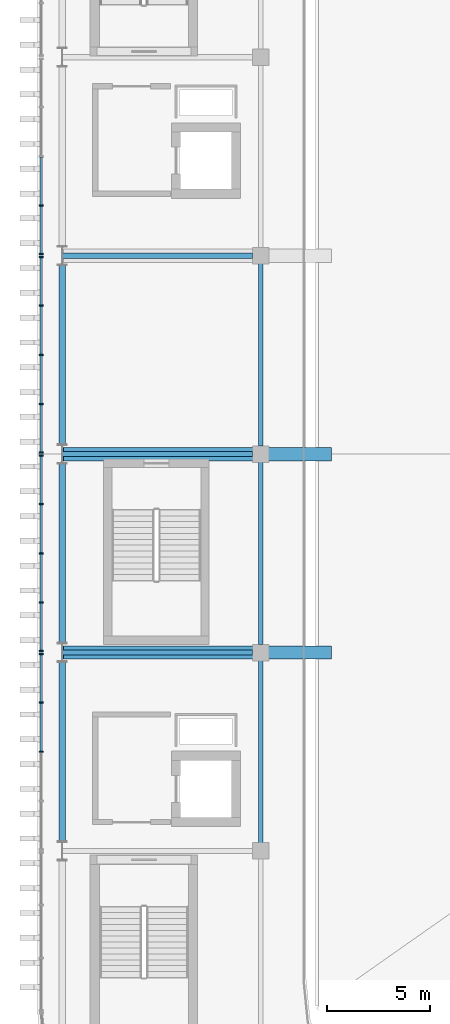
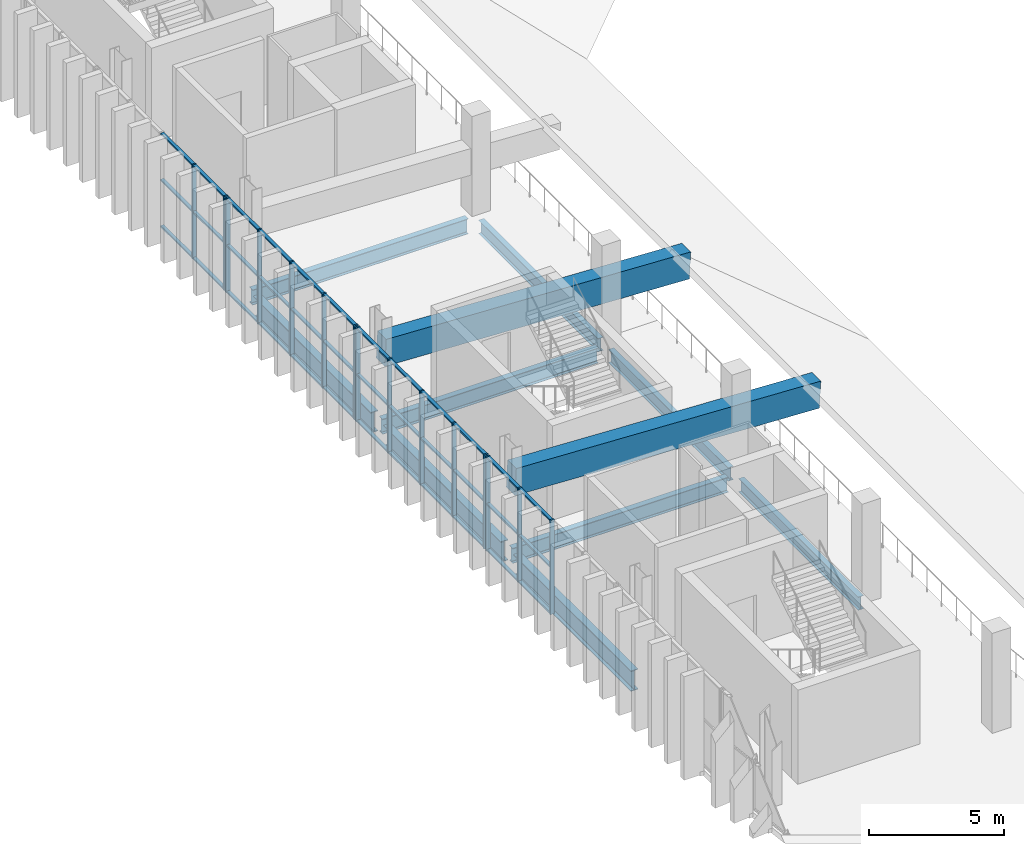
# One storey, part 17 of 69: 51 members, 11 beams, 4 elements without a shape of their own.
"""IFC4 building model written with IfcOpenShell, lengths in metres."""

from ifc_helpers import new_model, si_unit, direction, frame, origin, origin_2d, place, context, subcontext, project, spatial, rectangle, i_section, extrude, material, layer, layer_set, material_profile, profile_set, type_object, element, aggregate, save


model = new_model("IFC4")

# Units and contexts
model_context = context("Model", 3, precision=1e-05, world=origin(), true_north=direction((0.0, 1.0)))
body_context = subcontext(model_context, "Body", "Model", "MODEL_VIEW")
ifc_project = project(units=[si_unit("LENGTHUNIT", "METRE"), si_unit("AREAUNIT", "SQUARE_METRE"), si_unit("VOLUMEUNIT", "CUBIC_METRE"), si_unit("PLANEANGLEUNIT", "RADIAN"), si_unit("MASSUNIT", "GRAM", prefix="KILO")], contexts=[model_context])

# Site, building, storey
site_placement = place(None, origin())
site = spatial("IfcSite", under=ifc_project, at=site_placement, CompositionType="ELEMENT")
building_placement = place(site_placement, origin())
building = spatial("IfcBuilding", under=site, at=building_placement, Name="Caelomonte Colonnade Arena", CompositionType="ELEMENT")
storey_placement = place(building_placement, frame((0.0, 0.0, 18.60009765625)))
storey = spatial("IfcBuildingStorey", under=building, at=storey_placement, Name="L04", CompositionType="ELEMENT", Elevation=18.60009765625)

# Curtain wall, members
ifc_material_1 = material(Name="Bronze anodised aluminium and low-E glazing", Category="aluminium")
ifc_layer = layer(ifc_material_1, 0.179931640625)
ifc_layer_set = layer_set([ifc_layer], Name="Bronze anodised aluminium and low-E glazing")
curtain_wall_type = type_object("IfcCurtainWallType", Name="ENV-CW-CW-L04-96-42", PredefinedType="USERDEFINED", material=ifc_layer_set)
curtain_wall_1_placement = place(storey_placement, origin())
curtain_wall_1 = element("IfcCurtainWall", 1, at=curtain_wall_1_placement, inside=storey, type_object=curtain_wall_type, Name="L04 unitized curtain wall CW-L04-0566-0816", ObjectType="UNITIZED CURTAIN WALL", PredefinedType="USERDEFINED")
ifc_material_2 = material(Name="Bronze anodised aluminium AA6063-T6", Category="aluminium")
ifc_material_profile_1 = material_profile(ifc_material_2, rectangle(XDim=0.070068359375, YDim=0.179931640625, at=origin_2d()), Name="CWM-70X180")
ifc_profile_set_1 = profile_set([ifc_material_profile_1], Name="Bronze anodised aluminium AA6063-T6")
member_type_1 = type_object("IfcMemberType", Name="ENV-CW-MULL1", PredefinedType="MULLION", material=ifc_profile_set_1)
member_1_placement = place(storey_placement, frame((56.580078125, 79.219970703125, 0.0), z_axis=(0.0, 0.0, 1.0), x_axis=(0.0, -1.0, 0.0)))
member_1 = element("IfcMember", 2, at=member_1_placement, type_object=member_type_1, Name="CW-L04-96-42 mullion 4", PredefinedType="MULLION", context=body_context, shape_type="SweptSolid", body=[
    extrude(rectangle(XDim=0.070068359375, YDim=0.179931640625, at=origin_2d()), origin(), (0.0, 0.0, 1.0), 4.239990234375),
])
member_2_placement = place(storey_placement, frame((56.580078125, 76.875, 0.0), z_axis=(0.0, 0.0, 1.0), x_axis=(0.0, -1.0, 0.0)))
member_2 = element("IfcMember", 3, at=member_2_placement, type_object=member_type_1, Name="CW-L04-96-42 mullion 5", PredefinedType="MULLION", context=body_context, shape_type="SweptSolid", body=[
    extrude(rectangle(XDim=0.070068359375, YDim=0.179931640625, at=origin_2d()), origin(), (0.0, 0.0, 1.0), 4.239990234375),
])

curtain_wall_2_placement = place(storey_placement, origin())
curtain_wall_2 = element("IfcCurtainWall", 4, at=curtain_wall_2_placement, inside=storey, type_object=curtain_wall_type, Name="L04 unitized curtain wall CW-L04-0566-0720", ObjectType="UNITIZED CURTAIN WALL", PredefinedType="USERDEFINED")
member_3_placement = place(storey_placement, frame((56.580078125, 76.72509765625, 0.0), z_axis=(0.0, 0.0, 1.0), x_axis=(0.0, -1.0, 0.0)))
member_3 = element("IfcMember", 5, at=member_3_placement, type_object=member_type_1, Name="CW-L04-96-42 mullion 1", PredefinedType="MULLION", context=body_context, shape_type="SweptSolid", body=[
    extrude(rectangle(XDim=0.070068359375, YDim=0.179931640625, at=origin_2d()), origin(), (0.0, 0.0, 1.0), 4.239990234375),
])
member_4_placement = place(storey_placement, frame((56.580078125, 74.3798828125, 0.0), z_axis=(0.0, 0.0, 1.0), x_axis=(0.0, -1.0, 0.0)))
member_4 = element("IfcMember", 6, at=member_4_placement, type_object=member_type_1, Name="CW-L04-96-42 mullion 2", PredefinedType="MULLION", context=body_context, shape_type="SweptSolid", body=[
    extrude(rectangle(XDim=0.070068359375, YDim=0.179931640625, at=origin_2d()), origin(), (0.0, 0.0, 1.0), 4.239990234375),
])
member_5_placement = place(storey_placement, frame((56.580078125, 72.0, 0.0), z_axis=(0.0, 0.0, 1.0), x_axis=(0.0, -1.0, 0.0)))
member_5 = element("IfcMember", 7, at=member_5_placement, type_object=member_type_1, Name="CW-L04-96-42 mullion 3", PredefinedType="MULLION", context=body_context, shape_type="SweptSolid", body=[
    extrude(rectangle(XDim=0.070068359375, YDim=0.179931640625, at=origin_2d()), origin(), (0.0, 0.0, 1.0), 4.239990234375),
])
member_6_placement = place(storey_placement, frame((56.580078125, 69.6201171875, 0.0), z_axis=(0.0, 0.0, 1.0), x_axis=(0.0, -1.0, 0.0)))
member_6 = element("IfcMember", 8, at=member_6_placement, type_object=member_type_1, Name="CW-L04-96-42 mullion 4", PredefinedType="MULLION", context=body_context, shape_type="SweptSolid", body=[
    extrude(rectangle(XDim=0.070068359375, YDim=0.179931640625, at=origin_2d()), origin(), (0.0, 0.0, 1.0), 4.239990234375),
])
member_7_placement = place(storey_placement, frame((56.580078125, 67.27490234375, 0.0), z_axis=(0.0, 0.0, 1.0), x_axis=(0.0, -1.0, 0.0)))
member_7 = element("IfcMember", 9, at=member_7_placement, type_object=member_type_1, Name="CW-L04-96-42 mullion 5", PredefinedType="MULLION", context=body_context, shape_type="SweptSolid", body=[
    extrude(rectangle(XDim=0.070068359375, YDim=0.179931640625, at=origin_2d()), origin(), (0.0, 0.0, 1.0), 4.239990234375),
])

curtain_wall_3_placement = place(storey_placement, origin())
curtain_wall_3 = element("IfcCurtainWall", 10, at=curtain_wall_3_placement, inside=storey, type_object=curtain_wall_type, Name="L04 unitized curtain wall CW-L04-0566-0624", ObjectType="UNITIZED CURTAIN WALL", PredefinedType="USERDEFINED")
member_8_placement = place(storey_placement, frame((56.580078125, 67.125, 0.0), z_axis=(0.0, 0.0, 1.0), x_axis=(0.0, -1.0, 0.0)))
member_8 = element("IfcMember", 11, at=member_8_placement, type_object=member_type_1, Name="CW-L04-96-42 mullion 1", PredefinedType="MULLION", context=body_context, shape_type="SweptSolid", body=[
    extrude(rectangle(XDim=0.070068359375, YDim=0.179931640625, at=origin_2d()), origin(), (0.0, 0.0, 1.0), 4.239990234375),
])
member_9_placement = place(storey_placement, frame((56.580078125, 64.780029296875, 0.0), z_axis=(0.0, 0.0, 1.0), x_axis=(0.0, -1.0, 0.0)))
member_9 = element("IfcMember", 12, at=member_9_placement, type_object=member_type_1, Name="CW-L04-96-42 mullion 2", PredefinedType="MULLION", context=body_context, shape_type="SweptSolid", body=[
    extrude(rectangle(XDim=0.070068359375, YDim=0.179931640625, at=origin_2d()), origin(), (0.0, 0.0, 1.0), 4.239990234375),
])
member_10_placement = place(storey_placement, frame((56.580078125, 62.39990234375, 0.0), z_axis=(0.0, 0.0, 1.0), x_axis=(0.0, -1.0, 0.0)))
member_10 = element("IfcMember", 13, at=member_10_placement, type_object=member_type_1, Name="CW-L04-96-42 mullion 3", PredefinedType="MULLION", context=body_context, shape_type="SweptSolid", body=[
    extrude(rectangle(XDim=0.070068359375, YDim=0.179931640625, at=origin_2d()), origin(), (0.0, 0.0, 1.0), 4.239990234375),
])
member_11_placement = place(storey_placement, frame((56.580078125, 60.02001953125, 0.0), z_axis=(0.0, 0.0, 1.0), x_axis=(0.0, -1.0, 0.0)))
member_11 = element("IfcMember", 14, at=member_11_placement, type_object=member_type_1, Name="CW-L04-96-42 mullion 4", PredefinedType="MULLION", context=body_context, shape_type="SweptSolid", body=[
    extrude(rectangle(XDim=0.070068359375, YDim=0.179931640625, at=origin_2d()), origin(), (0.0, 0.0, 1.0), 4.239990234375),
])
member_12_placement = place(storey_placement, frame((56.580078125, 57.675048828125, 0.0), z_axis=(0.0, 0.0, 1.0), x_axis=(0.0, -1.0, 0.0)))
member_12 = element("IfcMember", 15, at=member_12_placement, type_object=member_type_1, Name="CW-L04-96-42 mullion 5", PredefinedType="MULLION", context=body_context, shape_type="SweptSolid", body=[
    extrude(rectangle(XDim=0.070068359375, YDim=0.179931640625, at=origin_2d()), origin(), (0.0, 0.0, 1.0), 4.239990234375),
])

curtain_wall_4_placement = place(storey_placement, origin())
curtain_wall_4 = element("IfcCurtainWall", 16, at=curtain_wall_4_placement, inside=storey, type_object=curtain_wall_type, Name="L04 unitized curtain wall CW-L04-0566-0528", ObjectType="UNITIZED CURTAIN WALL", PredefinedType="USERDEFINED")
member_13_placement = place(storey_placement, frame((56.580078125, 57.52490234375, 0.0), z_axis=(0.0, 0.0, 1.0), x_axis=(0.0, -1.0, 0.0)))
member_13 = element("IfcMember", 17, at=member_13_placement, type_object=member_type_1, Name="CW-L04-96-42 mullion 1", PredefinedType="MULLION", context=body_context, shape_type="SweptSolid", body=[
    extrude(rectangle(XDim=0.070068359375, YDim=0.179931640625, at=origin_2d()), origin(), (0.0, 0.0, 1.0), 4.239990234375),
])
member_14_placement = place(storey_placement, frame((56.580078125, 55.179931640625, 0.0), z_axis=(0.0, 0.0, 1.0), x_axis=(0.0, -1.0, 0.0)))
member_14 = element("IfcMember", 18, at=member_14_placement, type_object=member_type_1, Name="CW-L04-96-42 mullion 2", PredefinedType="MULLION", context=body_context, shape_type="SweptSolid", body=[
    extrude(rectangle(XDim=0.070068359375, YDim=0.179931640625, at=origin_2d()), origin(), (0.0, 0.0, 1.0), 4.239990234375),
])
member_15_placement = place(storey_placement, frame((56.580078125, 52.800048828125, 0.0), z_axis=(0.0, 0.0, 1.0), x_axis=(0.0, -1.0, 0.0)))
member_15 = element("IfcMember", 19, at=member_15_placement, type_object=member_type_1, Name="CW-L04-96-42 mullion 3", PredefinedType="MULLION", context=body_context, shape_type="SweptSolid", body=[
    extrude(rectangle(XDim=0.070068359375, YDim=0.179931640625, at=origin_2d()), origin(), (0.0, 0.0, 1.0), 4.239990234375),
])

# Member
ifc_material_profile_2 = material_profile(ifc_material_2, rectangle(XDim=0.070068359375, YDim=0.139892578125, at=origin_2d()), Name="CWT-70X140")
ifc_profile_set_2 = profile_set([ifc_material_profile_2], Name="Bronze anodised aluminium AA6063-T6")
member_type_2 = type_object("IfcMemberType", Name="ENV-CW-TRAN1", PredefinedType="USERDEFINED", material=ifc_profile_set_2)
member_16_placement = place(storey_placement, frame((56.580078125, 81.56494140625, 0.034912109375), z_axis=(0.0, -1.0, 0.0), x_axis=(0.0, 0.0, 1.0)))
member_16 = element("IfcMember", 20, at=member_16_placement, type_object=member_type_2, Name="CW-L04-96-42 transom 3.1", ObjectType="TRANSOM", PredefinedType="USERDEFINED", context=body_context, shape_type="SweptSolid", body=[
    extrude(rectangle(XDim=0.070068359375, YDim=0.139892578125, at=origin_2d()), origin(), (0.0, 0.0, 1.0), 2.31005859375),
])

member_17_placement = place(storey_placement, frame((56.580078125, 81.56494140625, 2.119873046875), z_axis=(0.0, -1.0, 0.0), x_axis=(0.0, 0.0, 1.0)))
member_17 = element("IfcMember", 21, at=member_17_placement, type_object=member_type_2, Name="CW-L04-96-42 transom 3.2", ObjectType="TRANSOM", PredefinedType="USERDEFINED", context=body_context, shape_type="SweptSolid", body=[
    extrude(rectangle(XDim=0.070068359375, YDim=0.139892578125, at=origin_2d()), origin(), (0.0, 0.0, 1.0), 2.31005859375),
])

member_18_placement = place(storey_placement, frame((56.580078125, 81.56494140625, 4.204833984375), z_axis=(0.0, -1.0, 0.0), x_axis=(0.0, 0.0, 1.0)))
member_18 = element("IfcMember", 22, at=member_18_placement, type_object=member_type_2, Name="CW-L04-96-42 transom 3.3", ObjectType="TRANSOM", PredefinedType="USERDEFINED", context=body_context, shape_type="SweptSolid", body=[
    extrude(rectangle(XDim=0.070068359375, YDim=0.139892578125, at=origin_2d()), origin(), (0.0, 0.0, 1.0), 2.31005859375),
])

member_19_placement = place(storey_placement, frame((56.580078125, 79.18505859375, 0.034912109375), z_axis=(0.0, -1.0, 0.0), x_axis=(0.0, 0.0, 1.0)))
member_19 = element("IfcMember", 23, at=member_19_placement, type_object=member_type_2, Name="CW-L04-96-42 transom 4.1", ObjectType="TRANSOM", PredefinedType="USERDEFINED", context=body_context, shape_type="SweptSolid", body=[
    extrude(rectangle(XDim=0.070068359375, YDim=0.139892578125, at=origin_2d()), origin(), (0.0, 0.0, 1.0), 2.275146484375),
])

member_20_placement = place(storey_placement, frame((56.580078125, 79.18505859375, 2.119873046875), z_axis=(0.0, -1.0, 0.0), x_axis=(0.0, 0.0, 1.0)))
member_20 = element("IfcMember", 24, at=member_20_placement, type_object=member_type_2, Name="CW-L04-96-42 transom 4.2", ObjectType="TRANSOM", PredefinedType="USERDEFINED", context=body_context, shape_type="SweptSolid", body=[
    extrude(rectangle(XDim=0.070068359375, YDim=0.139892578125, at=origin_2d()), origin(), (0.0, 0.0, 1.0), 2.275146484375),
])

member_21_placement = place(storey_placement, frame((56.580078125, 79.18505859375, 4.204833984375), z_axis=(0.0, -1.0, 0.0), x_axis=(0.0, 0.0, 1.0)))
member_21 = element("IfcMember", 25, at=member_21_placement, type_object=member_type_2, Name="CW-L04-96-42 transom 4.3", ObjectType="TRANSOM", PredefinedType="USERDEFINED", context=body_context, shape_type="SweptSolid", body=[
    extrude(rectangle(XDim=0.070068359375, YDim=0.139892578125, at=origin_2d()), origin(), (0.0, 0.0, 1.0), 2.275146484375),
])

aggregate(curtain_wall_1, [member_1, member_2, member_16, member_17, member_18, member_19, member_20, member_21])

member_22_placement = place(storey_placement, frame((56.580078125, 76.68994140625, 0.034912109375), z_axis=(0.0, -1.0, 0.0), x_axis=(0.0, 0.0, 1.0)))
member_22 = element("IfcMember", 26, at=member_22_placement, type_object=member_type_2, Name="CW-L04-96-42 transom 1.1", ObjectType="TRANSOM", PredefinedType="USERDEFINED", context=body_context, shape_type="SweptSolid", body=[
    extrude(rectangle(XDim=0.070068359375, YDim=0.139892578125, at=origin_2d()), origin(), (0.0, 0.0, 1.0), 2.27490234375),
])

member_23_placement = place(storey_placement, frame((56.580078125, 76.68994140625, 2.119873046875), z_axis=(0.0, -1.0, 0.0), x_axis=(0.0, 0.0, 1.0)))
member_23 = element("IfcMember", 27, at=member_23_placement, type_object=member_type_2, Name="CW-L04-96-42 transom 1.2", ObjectType="TRANSOM", PredefinedType="USERDEFINED", context=body_context, shape_type="SweptSolid", body=[
    extrude(rectangle(XDim=0.070068359375, YDim=0.139892578125, at=origin_2d()), origin(), (0.0, 0.0, 1.0), 2.27490234375),
])

member_24_placement = place(storey_placement, frame((56.580078125, 76.68994140625, 4.204833984375), z_axis=(0.0, -1.0, 0.0), x_axis=(0.0, 0.0, 1.0)))
member_24 = element("IfcMember", 28, at=member_24_placement, type_object=member_type_2, Name="CW-L04-96-42 transom 1.3", ObjectType="TRANSOM", PredefinedType="USERDEFINED", context=body_context, shape_type="SweptSolid", body=[
    extrude(rectangle(XDim=0.070068359375, YDim=0.139892578125, at=origin_2d()), origin(), (0.0, 0.0, 1.0), 2.27490234375),
])

member_25_placement = place(storey_placement, frame((56.580078125, 74.344970703125, 0.034912109375), z_axis=(0.0, -1.0, 0.0), x_axis=(0.0, 0.0, 1.0)))
member_25 = element("IfcMember", 29, at=member_25_placement, type_object=member_type_2, Name="CW-L04-96-42 transom 2.1", ObjectType="TRANSOM", PredefinedType="USERDEFINED", context=body_context, shape_type="SweptSolid", body=[
    extrude(rectangle(XDim=0.070068359375, YDim=0.139892578125, at=origin_2d()), origin(), (0.0, 0.0, 1.0), 2.31005859375),
])

member_26_placement = place(storey_placement, frame((56.580078125, 74.344970703125, 2.119873046875), z_axis=(0.0, -1.0, 0.0), x_axis=(0.0, 0.0, 1.0)))
member_26 = element("IfcMember", 30, at=member_26_placement, type_object=member_type_2, Name="CW-L04-96-42 transom 2.2", ObjectType="TRANSOM", PredefinedType="USERDEFINED", context=body_context, shape_type="SweptSolid", body=[
    extrude(rectangle(XDim=0.070068359375, YDim=0.139892578125, at=origin_2d()), origin(), (0.0, 0.0, 1.0), 2.31005859375),
])

member_27_placement = place(storey_placement, frame((56.580078125, 74.344970703125, 4.204833984375), z_axis=(0.0, -1.0, 0.0), x_axis=(0.0, 0.0, 1.0)))
member_27 = element("IfcMember", 31, at=member_27_placement, type_object=member_type_2, Name="CW-L04-96-42 transom 2.3", ObjectType="TRANSOM", PredefinedType="USERDEFINED", context=body_context, shape_type="SweptSolid", body=[
    extrude(rectangle(XDim=0.070068359375, YDim=0.139892578125, at=origin_2d()), origin(), (0.0, 0.0, 1.0), 2.31005859375),
])

member_28_placement = place(storey_placement, frame((56.580078125, 71.965087890625, 0.034912109375), z_axis=(0.0, -1.0, 0.0), x_axis=(0.0, 0.0, 1.0)))
member_28 = element("IfcMember", 32, at=member_28_placement, type_object=member_type_2, Name="CW-L04-96-42 transom 3.1", ObjectType="TRANSOM", PredefinedType="USERDEFINED", context=body_context, shape_type="SweptSolid", body=[
    extrude(rectangle(XDim=0.070068359375, YDim=0.139892578125, at=origin_2d()), origin(), (0.0, 0.0, 1.0), 2.31005859375),
])

member_29_placement = place(storey_placement, frame((56.580078125, 71.965087890625, 2.119873046875), z_axis=(0.0, -1.0, 0.0), x_axis=(0.0, 0.0, 1.0)))
member_29 = element("IfcMember", 33, at=member_29_placement, type_object=member_type_2, Name="CW-L04-96-42 transom 3.2", ObjectType="TRANSOM", PredefinedType="USERDEFINED", context=body_context, shape_type="SweptSolid", body=[
    extrude(rectangle(XDim=0.070068359375, YDim=0.139892578125, at=origin_2d()), origin(), (0.0, 0.0, 1.0), 2.31005859375),
])

member_30_placement = place(storey_placement, frame((56.580078125, 71.965087890625, 4.204833984375), z_axis=(0.0, -1.0, 0.0), x_axis=(0.0, 0.0, 1.0)))
member_30 = element("IfcMember", 34, at=member_30_placement, type_object=member_type_2, Name="CW-L04-96-42 transom 3.3", ObjectType="TRANSOM", PredefinedType="USERDEFINED", context=body_context, shape_type="SweptSolid", body=[
    extrude(rectangle(XDim=0.070068359375, YDim=0.139892578125, at=origin_2d()), origin(), (0.0, 0.0, 1.0), 2.31005859375),
])

member_31_placement = place(storey_placement, frame((56.580078125, 69.5849609375, 0.034912109375), z_axis=(0.0, -1.0, 0.0), x_axis=(0.0, 0.0, 1.0)))
member_31 = element("IfcMember", 35, at=member_31_placement, type_object=member_type_2, Name="CW-L04-96-42 transom 4.1", ObjectType="TRANSOM", PredefinedType="USERDEFINED", context=body_context, shape_type="SweptSolid", body=[
    extrude(rectangle(XDim=0.070068359375, YDim=0.139892578125, at=origin_2d()), origin(), (0.0, 0.0, 1.0), 2.27490234375),
])

member_32_placement = place(storey_placement, frame((56.580078125, 69.5849609375, 2.119873046875), z_axis=(0.0, -1.0, 0.0), x_axis=(0.0, 0.0, 1.0)))
member_32 = element("IfcMember", 36, at=member_32_placement, type_object=member_type_2, Name="CW-L04-96-42 transom 4.2", ObjectType="TRANSOM", PredefinedType="USERDEFINED", context=body_context, shape_type="SweptSolid", body=[
    extrude(rectangle(XDim=0.070068359375, YDim=0.139892578125, at=origin_2d()), origin(), (0.0, 0.0, 1.0), 2.27490234375),
])

member_33_placement = place(storey_placement, frame((56.580078125, 69.5849609375, 4.204833984375), z_axis=(0.0, -1.0, 0.0), x_axis=(0.0, 0.0, 1.0)))
member_33 = element("IfcMember", 37, at=member_33_placement, type_object=member_type_2, Name="CW-L04-96-42 transom 4.3", ObjectType="TRANSOM", PredefinedType="USERDEFINED", context=body_context, shape_type="SweptSolid", body=[
    extrude(rectangle(XDim=0.070068359375, YDim=0.139892578125, at=origin_2d()), origin(), (0.0, 0.0, 1.0), 2.27490234375),
])

aggregate(curtain_wall_2, [member_3, member_4, member_5, member_6, member_7, member_22, member_23, member_24, member_25, member_26, member_27, member_28, member_29, member_30, member_31, member_32, member_33])

member_34_placement = place(storey_placement, frame((56.580078125, 67.090087890625, 0.034912109375), z_axis=(0.0, -1.0, 0.0), x_axis=(0.0, 0.0, 1.0)))
member_34 = element("IfcMember", 38, at=member_34_placement, type_object=member_type_2, Name="CW-L04-96-42 transom 1.1", ObjectType="TRANSOM", PredefinedType="USERDEFINED", context=body_context, shape_type="SweptSolid", body=[
    extrude(rectangle(XDim=0.070068359375, YDim=0.139892578125, at=origin_2d()), origin(), (0.0, 0.0, 1.0), 2.275146484375),
])

member_35_placement = place(storey_placement, frame((56.580078125, 67.090087890625, 2.119873046875), z_axis=(0.0, -1.0, 0.0), x_axis=(0.0, 0.0, 1.0)))
member_35 = element("IfcMember", 39, at=member_35_placement, type_object=member_type_2, Name="CW-L04-96-42 transom 1.2", ObjectType="TRANSOM", PredefinedType="USERDEFINED", context=body_context, shape_type="SweptSolid", body=[
    extrude(rectangle(XDim=0.070068359375, YDim=0.139892578125, at=origin_2d()), origin(), (0.0, 0.0, 1.0), 2.275146484375),
])

member_36_placement = place(storey_placement, frame((56.580078125, 67.090087890625, 4.204833984375), z_axis=(0.0, -1.0, 0.0), x_axis=(0.0, 0.0, 1.0)))
member_36 = element("IfcMember", 40, at=member_36_placement, type_object=member_type_2, Name="CW-L04-96-42 transom 1.3", ObjectType="TRANSOM", PredefinedType="USERDEFINED", context=body_context, shape_type="SweptSolid", body=[
    extrude(rectangle(XDim=0.070068359375, YDim=0.139892578125, at=origin_2d()), origin(), (0.0, 0.0, 1.0), 2.275146484375),
])

member_37_placement = place(storey_placement, frame((56.580078125, 64.7451171875, 0.034912109375), z_axis=(0.0, -1.0, 0.0), x_axis=(0.0, 0.0, 1.0)))
member_37 = element("IfcMember", 41, at=member_37_placement, type_object=member_type_2, Name="CW-L04-96-42 transom 2.1", ObjectType="TRANSOM", PredefinedType="USERDEFINED", context=body_context, shape_type="SweptSolid", body=[
    extrude(rectangle(XDim=0.070068359375, YDim=0.139892578125, at=origin_2d()), origin(), (0.0, 0.0, 1.0), 2.31005859375),
])

member_38_placement = place(storey_placement, frame((56.580078125, 64.7451171875, 2.119873046875), z_axis=(0.0, -1.0, 0.0), x_axis=(0.0, 0.0, 1.0)))
member_38 = element("IfcMember", 42, at=member_38_placement, type_object=member_type_2, Name="CW-L04-96-42 transom 2.2", ObjectType="TRANSOM", PredefinedType="USERDEFINED", context=body_context, shape_type="SweptSolid", body=[
    extrude(rectangle(XDim=0.070068359375, YDim=0.139892578125, at=origin_2d()), origin(), (0.0, 0.0, 1.0), 2.31005859375),
])

member_39_placement = place(storey_placement, frame((56.580078125, 64.7451171875, 4.204833984375), z_axis=(0.0, -1.0, 0.0), x_axis=(0.0, 0.0, 1.0)))
member_39 = element("IfcMember", 43, at=member_39_placement, type_object=member_type_2, Name="CW-L04-96-42 transom 2.3", ObjectType="TRANSOM", PredefinedType="USERDEFINED", context=body_context, shape_type="SweptSolid", body=[
    extrude(rectangle(XDim=0.070068359375, YDim=0.139892578125, at=origin_2d()), origin(), (0.0, 0.0, 1.0), 2.31005859375),
])

member_40_placement = place(storey_placement, frame((56.580078125, 62.364990234375, 0.034912109375), z_axis=(0.0, -1.0, 0.0), x_axis=(0.0, 0.0, 1.0)))
member_40 = element("IfcMember", 44, at=member_40_placement, type_object=member_type_2, Name="CW-L04-96-42 transom 3.1", ObjectType="TRANSOM", PredefinedType="USERDEFINED", context=body_context, shape_type="SweptSolid", body=[
    extrude(rectangle(XDim=0.070068359375, YDim=0.139892578125, at=origin_2d()), origin(), (0.0, 0.0, 1.0), 2.31005859375),
])

member_41_placement = place(storey_placement, frame((56.580078125, 62.364990234375, 2.119873046875), z_axis=(0.0, -1.0, 0.0), x_axis=(0.0, 0.0, 1.0)))
member_41 = element("IfcMember", 45, at=member_41_placement, type_object=member_type_2, Name="CW-L04-96-42 transom 3.2", ObjectType="TRANSOM", PredefinedType="USERDEFINED", context=body_context, shape_type="SweptSolid", body=[
    extrude(rectangle(XDim=0.070068359375, YDim=0.139892578125, at=origin_2d()), origin(), (0.0, 0.0, 1.0), 2.31005859375),
])

member_42_placement = place(storey_placement, frame((56.580078125, 62.364990234375, 4.204833984375), z_axis=(0.0, -1.0, 0.0), x_axis=(0.0, 0.0, 1.0)))
member_42 = element("IfcMember", 46, at=member_42_placement, type_object=member_type_2, Name="CW-L04-96-42 transom 3.3", ObjectType="TRANSOM", PredefinedType="USERDEFINED", context=body_context, shape_type="SweptSolid", body=[
    extrude(rectangle(XDim=0.070068359375, YDim=0.139892578125, at=origin_2d()), origin(), (0.0, 0.0, 1.0), 2.31005859375),
])

member_43_placement = place(storey_placement, frame((56.580078125, 59.985107421875, 0.034912109375), z_axis=(0.0, -1.0, 0.0), x_axis=(0.0, 0.0, 1.0)))
member_43 = element("IfcMember", 47, at=member_43_placement, type_object=member_type_2, Name="CW-L04-96-42 transom 4.1", ObjectType="TRANSOM", PredefinedType="USERDEFINED", context=body_context, shape_type="SweptSolid", body=[
    extrude(rectangle(XDim=0.070068359375, YDim=0.139892578125, at=origin_2d()), origin(), (0.0, 0.0, 1.0), 2.275146484375),
])

member_44_placement = place(storey_placement, frame((56.580078125, 59.985107421875, 2.119873046875), z_axis=(0.0, -1.0, 0.0), x_axis=(0.0, 0.0, 1.0)))
member_44 = element("IfcMember", 48, at=member_44_placement, type_object=member_type_2, Name="CW-L04-96-42 transom 4.2", ObjectType="TRANSOM", PredefinedType="USERDEFINED", context=body_context, shape_type="SweptSolid", body=[
    extrude(rectangle(XDim=0.070068359375, YDim=0.139892578125, at=origin_2d()), origin(), (0.0, 0.0, 1.0), 2.275146484375),
])

member_45_placement = place(storey_placement, frame((56.580078125, 59.985107421875, 4.204833984375), z_axis=(0.0, -1.0, 0.0), x_axis=(0.0, 0.0, 1.0)))
member_45 = element("IfcMember", 49, at=member_45_placement, type_object=member_type_2, Name="CW-L04-96-42 transom 4.3", ObjectType="TRANSOM", PredefinedType="USERDEFINED", context=body_context, shape_type="SweptSolid", body=[
    extrude(rectangle(XDim=0.070068359375, YDim=0.139892578125, at=origin_2d()), origin(), (0.0, 0.0, 1.0), 2.275146484375),
])

aggregate(curtain_wall_3, [member_8, member_9, member_10, member_11, member_12, member_34, member_35, member_36, member_37, member_38, member_39, member_40, member_41, member_42, member_43, member_44, member_45])

member_46_placement = place(storey_placement, frame((56.580078125, 57.489990234375, 0.034912109375), z_axis=(0.0, -1.0, 0.0), x_axis=(0.0, 0.0, 1.0)))
member_46 = element("IfcMember", 50, at=member_46_placement, type_object=member_type_2, Name="CW-L04-96-42 transom 1.1", ObjectType="TRANSOM", PredefinedType="USERDEFINED", context=body_context, shape_type="SweptSolid", body=[
    extrude(rectangle(XDim=0.070068359375, YDim=0.139892578125, at=origin_2d()), origin(), (0.0, 0.0, 1.0), 2.27490234375),
])

member_47_placement = place(storey_placement, frame((56.580078125, 57.489990234375, 2.119873046875), z_axis=(0.0, -1.0, 0.0), x_axis=(0.0, 0.0, 1.0)))
member_47 = element("IfcMember", 51, at=member_47_placement, type_object=member_type_2, Name="CW-L04-96-42 transom 1.2", ObjectType="TRANSOM", PredefinedType="USERDEFINED", context=body_context, shape_type="SweptSolid", body=[
    extrude(rectangle(XDim=0.070068359375, YDim=0.139892578125, at=origin_2d()), origin(), (0.0, 0.0, 1.0), 2.27490234375),
])

member_48_placement = place(storey_placement, frame((56.580078125, 57.489990234375, 4.204833984375), z_axis=(0.0, -1.0, 0.0), x_axis=(0.0, 0.0, 1.0)))
member_48 = element("IfcMember", 52, at=member_48_placement, type_object=member_type_2, Name="CW-L04-96-42 transom 1.3", ObjectType="TRANSOM", PredefinedType="USERDEFINED", context=body_context, shape_type="SweptSolid", body=[
    extrude(rectangle(XDim=0.070068359375, YDim=0.139892578125, at=origin_2d()), origin(), (0.0, 0.0, 1.0), 2.27490234375),
])

member_49_placement = place(storey_placement, frame((56.580078125, 55.14501953125, 0.034912109375), z_axis=(0.0, -1.0, 0.0), x_axis=(0.0, 0.0, 1.0)))
member_49 = element("IfcMember", 53, at=member_49_placement, type_object=member_type_2, Name="CW-L04-96-42 transom 2.1", ObjectType="TRANSOM", PredefinedType="USERDEFINED", context=body_context, shape_type="SweptSolid", body=[
    extrude(rectangle(XDim=0.070068359375, YDim=0.139892578125, at=origin_2d()), origin(), (0.0, 0.0, 1.0), 2.31005859375),
])

member_50_placement = place(storey_placement, frame((56.580078125, 55.14501953125, 2.119873046875), z_axis=(0.0, -1.0, 0.0), x_axis=(0.0, 0.0, 1.0)))
member_50 = element("IfcMember", 54, at=member_50_placement, type_object=member_type_2, Name="CW-L04-96-42 transom 2.2", ObjectType="TRANSOM", PredefinedType="USERDEFINED", context=body_context, shape_type="SweptSolid", body=[
    extrude(rectangle(XDim=0.070068359375, YDim=0.139892578125, at=origin_2d()), origin(), (0.0, 0.0, 1.0), 2.31005859375),
])

member_51_placement = place(storey_placement, frame((56.580078125, 55.14501953125, 4.204833984375), z_axis=(0.0, -1.0, 0.0), x_axis=(0.0, 0.0, 1.0)))
member_51 = element("IfcMember", 55, at=member_51_placement, type_object=member_type_2, Name="CW-L04-96-42 transom 2.3", ObjectType="TRANSOM", PredefinedType="USERDEFINED", context=body_context, shape_type="SweptSolid", body=[
    extrude(rectangle(XDim=0.070068359375, YDim=0.139892578125, at=origin_2d()), origin(), (0.0, 0.0, 1.0), 2.31005859375),
])

aggregate(curtain_wall_4, [member_13, member_14, member_15, member_46, member_47, member_48, member_49, member_50, member_51])

# Beams
ifc_material_3 = material(Name="Wide-flange steel ASTM A992 Grade 50", Category="steel")
ifc_material_profile_3 = material_profile(ifc_material_3, i_section(OverallWidth=0.307861328125, OverallDepth=0.927001953125, WebThickness=0.019287109375, FlangeThickness=0.031982421875, FilletRadius=0.020263671875, at=origin_2d()), Name="W36X194")
ifc_profile_set_3 = profile_set([ifc_material_profile_3], Name="Wide-flange steel ASTM A992 Grade 50")
beam_type_1 = type_object("IfcBeamType", Name="STR-BM-EAVES2", PredefinedType="SPANDREL", material=ifc_profile_set_3)
beam_1_placement = place(storey_placement, frame((57.60009765625, 48.4658203125, -0.7236328125), z_axis=(0.0, 1.0, 0.0), x_axis=(-1.0, 0.0, 0.0)))
element("IfcBeam", 56, at=beam_1_placement, inside=storey, type_object=beam_type_1, Name="L04 girder BMY-L04-0576-0480", PredefinedType="SPANDREL", context=body_context, shape_type="SweptSolid", body=[
    extrude(i_section(OverallWidth=0.307861328125, OverallDepth=0.927001953125, WebThickness=0.019287109375, FlangeThickness=0.031982421875, FilletRadius=0.020263671875, at=origin_2d()), origin(), (0.0, 0.0, 1.0), 8.66845703125),
])
beam_2_placement = place(storey_placement, frame((57.60009765625, 58.065673828125, -0.7236328125), z_axis=(0.0, 1.0, 0.0), x_axis=(-1.0, 0.0, 0.0)))
element("IfcBeam", 57, at=beam_2_placement, inside=storey, type_object=beam_type_1, Name="L04 girder BMY-L04-0576-0576", PredefinedType="SPANDREL", context=body_context, shape_type="SweptSolid", body=[
    extrude(i_section(OverallWidth=0.307861328125, OverallDepth=0.927001953125, WebThickness=0.019287109375, FlangeThickness=0.031982421875, FilletRadius=0.020263671875, at=origin_2d()), origin(), (0.0, 0.0, 1.0), 8.668701171875),
])
beam_3_placement = place(storey_placement, frame((57.60009765625, 67.665771484375, -0.7236328125), z_axis=(0.0, 1.0, 0.0), x_axis=(-1.0, 0.0, 0.0)))
element("IfcBeam", 58, at=beam_3_placement, inside=storey, type_object=beam_type_1, Name="L04 girder BMY-L04-0576-0672", PredefinedType="SPANDREL", context=body_context, shape_type="SweptSolid", body=[
    extrude(i_section(OverallWidth=0.307861328125, OverallDepth=0.927001953125, WebThickness=0.019287109375, FlangeThickness=0.031982421875, FilletRadius=0.020263671875, at=origin_2d()), origin(), (0.0, 0.0, 1.0), 8.66845703125),
])
ifc_material_profile_4 = material_profile(ifc_material_3, i_section(OverallWidth=0.227783203125, OverallDepth=0.60205078125, WebThickness=0.010498046875, FlangeThickness=0.014892578125, FilletRadius=0.0126953125, at=origin_2d()), Name="W24X68")
ifc_profile_set_4 = profile_set([ifc_material_profile_4], Name="Wide-flange steel ASTM A992 Grade 50")
beam_type_2 = type_object("IfcBeamType", Name="STR-BM-GIRD24B", PredefinedType="SPANDREL", material=ifc_profile_set_4)
beam_4_placement = place(storey_placement, frame((67.199951171875, 48.39208984375, -0.56103515625), z_axis=(0.0, 1.0, 0.0), x_axis=(-1.0, 0.0, 0.0)))
element("IfcBeam", 59, at=beam_4_placement, inside=storey, type_object=beam_type_2, Name="L04 girder BMY-L04-0672-0480", PredefinedType="SPANDREL", context=body_context, shape_type="SweptSolid", body=[
    extrude(i_section(OverallWidth=0.227783203125, OverallDepth=0.60205078125, WebThickness=0.010498046875, FlangeThickness=0.014892578125, FilletRadius=0.0126953125, at=origin_2d()), origin(), (0.0, 0.0, 1.0), 8.81591796875),
])
beam_5_placement = place(storey_placement, frame((67.199951171875, 57.991943359375, -0.56103515625), z_axis=(0.0, 1.0, 0.0), x_axis=(-1.0, 0.0, 0.0)))
element("IfcBeam", 60, at=beam_5_placement, inside=storey, type_object=beam_type_2, Name="L04 girder BMY-L04-0672-0576", PredefinedType="SPANDREL", context=body_context, shape_type="SweptSolid", body=[
    extrude(i_section(OverallWidth=0.227783203125, OverallDepth=0.60205078125, WebThickness=0.010498046875, FlangeThickness=0.014892578125, FilletRadius=0.0126953125, at=origin_2d()), origin(), (0.0, 0.0, 1.0), 8.816162109375),
])
beam_6_placement = place(storey_placement, frame((67.199951171875, 67.592041015625, -0.56103515625), z_axis=(0.0, 1.0, 0.0), x_axis=(-1.0, 0.0, 0.0)))
element("IfcBeam", 61, at=beam_6_placement, inside=storey, type_object=beam_type_2, Name="L04 girder BMY-L04-0672-0672", PredefinedType="SPANDREL", context=body_context, shape_type="SweptSolid", body=[
    extrude(i_section(OverallWidth=0.227783203125, OverallDepth=0.60205078125, WebThickness=0.010498046875, FlangeThickness=0.014892578125, FilletRadius=0.0126953125, at=origin_2d()), origin(), (0.0, 0.0, 1.0), 8.81591796875),
])
ifc_material_profile_5 = material_profile(ifc_material_3, i_section(OverallWidth=0.253662109375, OverallDepth=0.683349609375, WebThickness=0.012451171875, FlangeThickness=0.018798828125, FilletRadius=0.01513671875, at=origin_2d()), Name="W27X94")
ifc_profile_set_5 = profile_set([ifc_material_profile_5], Name="Wide-flange steel ASTM A992 Grade 50")
beam_type_3 = type_object("IfcBeamType", Name="STR-BM-GIRD27", PredefinedType="BEAM", material=ifc_profile_set_5)
for number, where, z_axis, x_axis, name in (
    (62, (57.612060546875, 57.60009765625, -0.601806640625), (1.0, 0.0, 0.0), (0.0, 1.0, 0.0), "L04 girder BMX-L04-0576-0576"),
    (63, (57.612060546875, 67.199951171875, -0.601806640625), (1.0, 0.0, 0.0), (0.0, 1.0, 0.0), "L04 girder BMX-L04-0576-0672"),
    (64, (57.612060546875, 76.800048828125, -0.601806640625), (1.0, 0.0, 0.0), (0.0, 1.0, 0.0), "L04 girder BMX-L04-0576-0768"),
):
    element("IfcBeam", number, at=place(storey_placement, frame(where, z_axis=z_axis, x_axis=x_axis)), inside=storey, type_object=beam_type_3, Name=name, PredefinedType="BEAM", context=body_context, shape_type="SweptSolid", body=[
        extrude(i_section(OverallWidth=0.253662109375, OverallDepth=0.683349609375, WebThickness=0.012451171875, FlangeThickness=0.018798828125, FilletRadius=0.01513671875, at=origin_2d()), origin(), (0.0, 0.0, 1.0), 9.196044921875),
    ])
ifc_material_4 = material(Name="Concrete C50/60", Category="concrete")
ifc_material_profile_6 = material_profile(ifc_material_4, rectangle(XDim=0.64990234375, YDim=1.199951171875, at=origin_2d()), Name="RC650X1200")
ifc_profile_set_6 = profile_set([ifc_material_profile_6], Name="Concrete C50/60")
beam_type_4 = type_object("IfcBeamType", Name="STR-BM-RKU", PredefinedType="USERDEFINED", material=ifc_profile_set_6)
for number, where, z_axis, x_axis, name in (
    (65, (57.6201171875, 57.60009765625, 2.849853515625), (0.998933852291, 0.0, -0.046164474948), (0.0, 1.0, 0.0), "Upper bowl cantilevered raker girder W-57"),
    (66, (57.6201171875, 67.199951171875, 2.849853515625), (0.998933852291, 0.0, -0.046164474948), (0.0, 1.0, 0.0), "Upper bowl cantilevered raker girder W-67"),
):
    element("IfcBeam", number, at=place(storey_placement, frame(where, z_axis=z_axis, x_axis=x_axis)), inside=storey, type_object=beam_type_4, Name=name, ObjectType="RAKER", PredefinedType="USERDEFINED", context=body_context, shape_type="SweptSolid", body=[
        extrude(rectangle(XDim=0.64990234375, YDim=1.199951171875, at=origin_2d()), origin(), (0.0, 0.0, 1.0), 12.993896484375),
    ])

save(model, "model.ifc")
